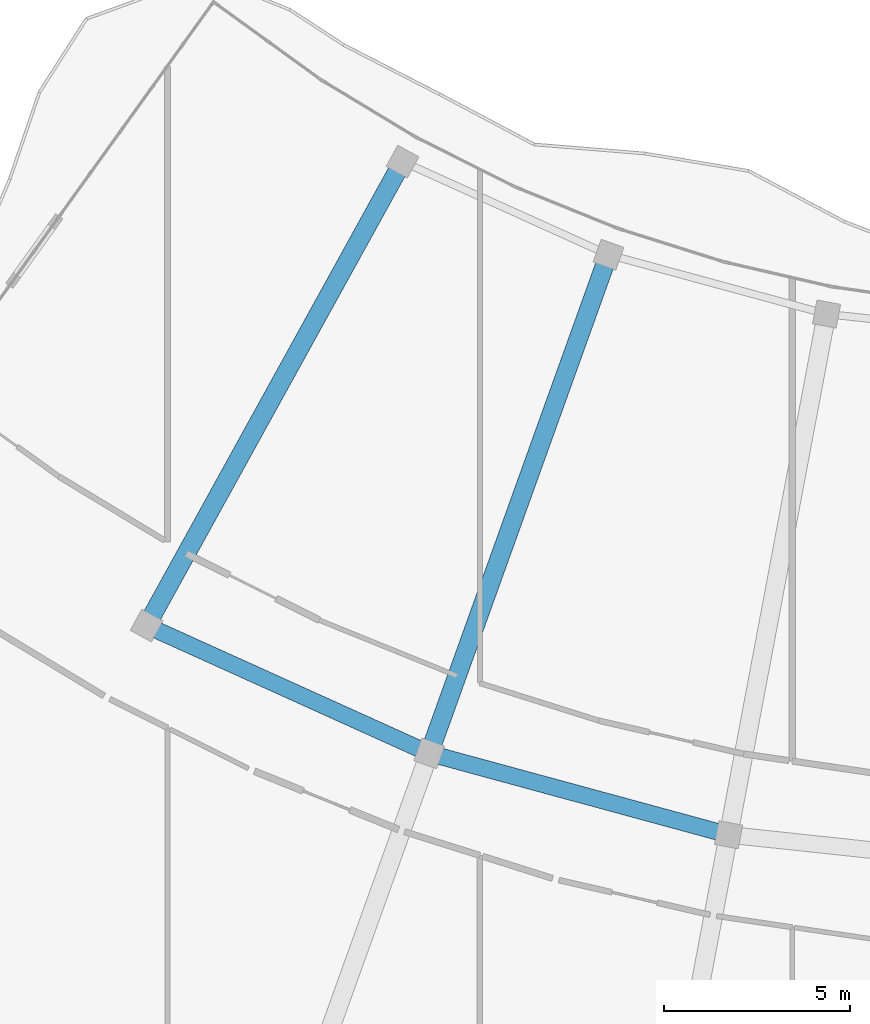
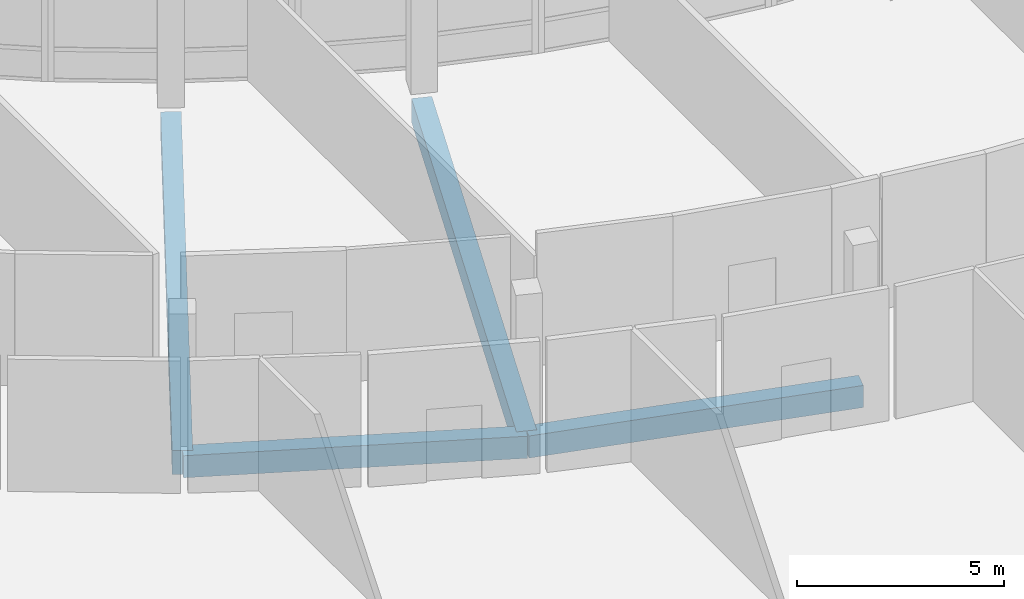
# One storey, part 18 of 184: 4 beams.
"""IFC4 building model written with IfcOpenShell, lengths in metres."""

from ifc_helpers import new_model, si_unit, direction, frame, origin, origin_2d, place, context, subcontext, project, spatial, rectangle, extrude, material, material_profile, profile_set, type_object, element, save


model = new_model("IFC4")

# Units and contexts
model_context = context("Model", 3, precision=1e-05, world=origin(), true_north=direction((0.0, 1.0)))
body_context = subcontext(model_context, "Body", "Model", "MODEL_VIEW")
ifc_project = project(units=[si_unit("LENGTHUNIT", "METRE"), si_unit("AREAUNIT", "SQUARE_METRE"), si_unit("VOLUMEUNIT", "CUBIC_METRE"), si_unit("PLANEANGLEUNIT", "RADIAN"), si_unit("MASSUNIT", "GRAM", prefix="KILO")], contexts=[model_context])

# Site, building, storey
site_placement = place(None, origin())
site = spatial("IfcSite", under=ifc_project, at=site_placement, CompositionType="ELEMENT")
building_placement = place(site_placement, origin())
building = spatial("IfcBuilding", under=site, at=building_placement, Name="Selatvlak General Hospital", CompositionType="ELEMENT")
storey_placement = place(building_placement, frame((0.0, 0.0, 15.0)))
storey = spatial("IfcBuildingStorey", under=building, at=storey_placement, Name="L03", CompositionType="ELEMENT", Elevation=15.0)

# Beams
ifc_material = material(Name="Concrete C40/50", Category="concrete")
ifc_material_profile_1 = material_profile(ifc_material, rectangle(XDim=0.5, YDim=0.699951171875, at=origin_2d()), Name="RC-BM 500x700")
ifc_profile_set_1 = profile_set([ifc_material_profile_1], Name="Concrete C40/50")
beam_type_1 = type_object("IfcBeamType", Name="BM-G03", PredefinedType="BEAM", material=ifc_profile_set_1)
beam_1_placement = place(storey_placement, frame((37.52099609375, 46.009033203125, -0.68994140625), z_axis=(-0.483032502688, -0.875602421963, 0.0), x_axis=(0.875602421963, -0.483032502688, 0.0)))
element("IfcBeam", 1, at=beam_1_placement, inside=storey, type_object=beam_type_1, Name="Beam BMR-L03-1458", PredefinedType="BEAM", context=body_context, shape_type="SweptSolid", body=[
    extrude(rectangle(XDim=0.5, YDim=0.699951171875, at=origin_2d()), origin(), (0.0, 0.0, 1.0), 14.249755859375),
])
beam_2_placement = place(storey_placement, frame((43.05908203125, 43.506103515625, -0.68994140625), z_axis=(-0.338248037823, -0.941056993443, 0.0), x_axis=(0.941056993443, -0.338248037823, 0.0)))
element("IfcBeam", 2, at=beam_2_placement, inside=storey, type_object=beam_type_1, Name="Beam BMR-L03-1459", PredefinedType="BEAM", context=body_context, shape_type="SweptSolid", body=[
    extrude(rectangle(XDim=0.5, YDim=0.699951171875, at=origin_2d()), origin(), (0.0, 0.0, 1.0), 14.25),
])
ifc_material_profile_2 = material_profile(ifc_material, rectangle(XDim=0.449951171875, YDim=0.64990234375, at=origin_2d()), Name="RC-BM 450x650")
ifc_profile_set_2 = profile_set([ifc_material_profile_2], Name="Concrete C40/50")
beam_type_2 = type_object("IfcBeamType", Name="BM-G04", PredefinedType="BEAM", material=ifc_profile_set_2)
for number, where, z_axis, x_axis, name in (
    (3, (30.637939453125, 33.531982421875, -0.6650390625), (0.911222507052, -0.411914484623, 0.0), (0.411914484623, 0.911222507052, 0.0), "Beam BMR-L03-1484"),
    (4, (38.239013671875, 30.095947265625, -0.6650390625), (0.964923713998, -0.262530429026, 0.0), (0.262530429026, 0.964923713998, 0.0), "Beam BMR-L03-1485"),
):
    element("IfcBeam", number, at=place(storey_placement, frame(where, z_axis=z_axis, x_axis=x_axis)), inside=storey, type_object=beam_type_2, Name=name, PredefinedType="BEAM", context=body_context, shape_type="SweptSolid", body=[
        extrude(rectangle(XDim=0.449951171875, YDim=0.64990234375, at=origin_2d()), origin(), (0.0, 0.0, 1.0), 8.341552734375),
    ])

save(model, "model.ifc")
